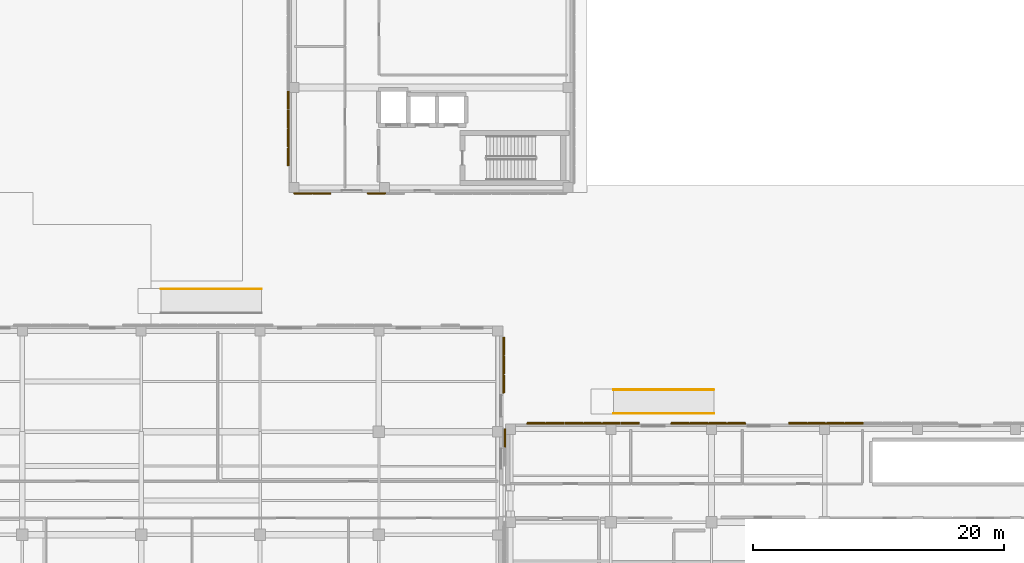
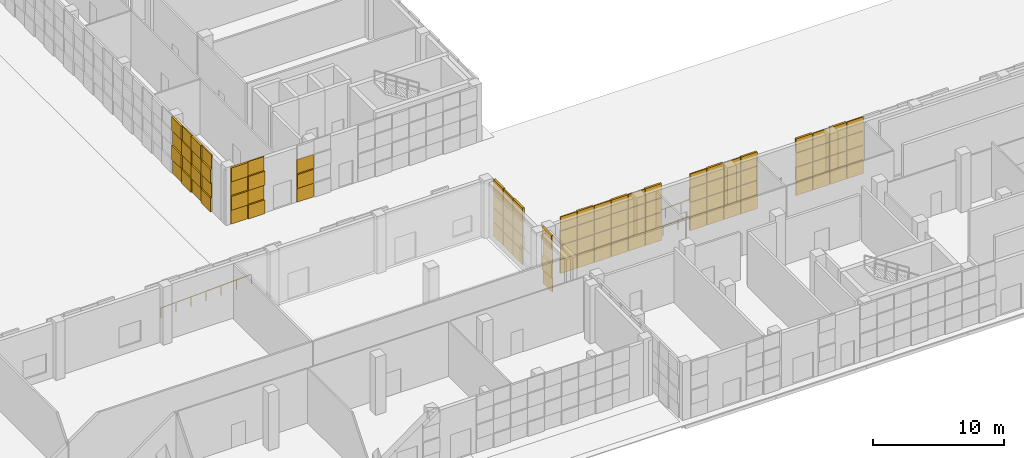
# One storey, part 28 of 40: 99 coverings, 3 railings.
"""IFC4 building model written with IfcOpenShell, lengths in metres."""

from ifc_helpers import new_model, si_unit, direction, frame, origin, origin_2d, place, context, subcontext, project, spatial, rectangle, circle, extrude, material, layer, layer_set, type_object, element, save


model = new_model("IFC4")

# Units and contexts
model_context = context("Model", 3, precision=1e-05, world=origin(), true_north=direction((0.0, 1.0)))
body_context = subcontext(model_context, "Body", "Model", "MODEL_VIEW")
ifc_project = project(units=[si_unit("LENGTHUNIT", "METRE"), si_unit("AREAUNIT", "SQUARE_METRE"), si_unit("VOLUMEUNIT", "CUBIC_METRE"), si_unit("PLANEANGLEUNIT", "RADIAN"), si_unit("MASSUNIT", "GRAM", prefix="KILO")], contexts=[model_context])

# Site, building, storey
site_placement = place(None, origin())
site = spatial("IfcSite", under=ifc_project, at=site_placement, CompositionType="ELEMENT")
building_placement = place(site_placement, origin())
building = spatial("IfcBuilding", under=site, at=building_placement, Name="Qalavern Law Courts", CompositionType="ELEMENT")
storey_placement = place(building_placement, origin())
storey = spatial("IfcBuildingStorey", under=building, at=storey_placement, Name="L00", CompositionType="ELEMENT", Elevation=0.0)

# Coverings
ifc_material_1 = material(Name="Precast concrete C40/50", Category="concrete")
ifc_layer_1 = layer(ifc_material_1, 0.06005859375)
ifc_layer_set_1 = layer_set([ifc_layer_1], Name="Precast concrete C40/50")
covering_type_1 = type_object("IfcCoveringType", Name="ENV-CLD-1", PredefinedType="CLADDING", material=ifc_layer_set_1)
for number, where, z_axis, x_axis, name in (
    (1, (101.280029296875, 25.800048828125, 1.385009765625), (0.0, 0.0, 1.0), (0.0, 1.0, 0.0), "Cast drop-relief street-base tile 0298"),
    (2, (101.280029296875, 27.300048828125, 0.050048828125), (0.0, 0.0, 1.0), (0.0, 1.0, 0.0), "Cast drop-relief street-base tile 0301"),
):
    element("IfcCovering", number, at=place(storey_placement, frame(where, z_axis=z_axis, x_axis=x_axis)), inside=storey, type_object=covering_type_1, Name=name, PredefinedType="CLADDING", context=body_context, shape_type="SweptSolid", body=[
        extrude(rectangle(XDim=1.449951171875, YDim=0.16796875, at=origin_2d()), origin(), (0.0, 0.0, 1.0), 1.294921875),
    ])
for number, where, z_axis, x_axis, name in (
    (3, (101.238037109375, 27.300048828125, 4.054931640625), (0.0, 0.0, 1.0), (0.0, 1.0, 0.0), "Cast drop-relief street-base tile 0304"),
    (4, (101.238037109375, 28.800048828125, 2.719970703125), (0.0, 0.0, 1.0), (0.0, 1.0, 0.0), "Cast drop-relief street-base tile 0307"),
):
    element("IfcCovering", number, at=place(storey_placement, frame(where, z_axis=z_axis, x_axis=x_axis)), inside=storey, type_object=covering_type_1, Name=name, PredefinedType="CLADDING", context=body_context, shape_type="SweptSolid", body=[
        extrude(rectangle(XDim=1.449951171875, YDim=0.083984375, at=origin_2d()), origin(), (0.0, 0.0, 1.0), 1.294921875),
    ])
for number, where, z_axis, x_axis, name in (
    (5, (85.300048828125, 40.93994140625, 1.385009765625), (0.0, 0.0, 1.0), (1.0, 0.0, 0.0), "Cast drop-relief street-base tile 0774"),
    (6, (86.800048828125, 40.93994140625, 0.050048828125), (0.0, 0.0, 1.0), (1.0, 0.0, 0.0), "Cast drop-relief street-base tile 0777"),
):
    element("IfcCovering", number, at=place(storey_placement, frame(where, z_axis=z_axis, x_axis=x_axis)), inside=storey, type_object=covering_type_1, Name=name, PredefinedType="CLADDING", context=body_context, shape_type="SweptSolid", body=[
        extrude(rectangle(XDim=1.449951171875, YDim=0.16796875, at=origin_2d()), origin(), (0.0, 0.0, 1.0), 1.294921875),
    ])
covering_1_placement = place(storey_placement, frame((86.800048828125, 40.98193359375, 4.054931640625), z_axis=(0.0, 0.0, 1.0), x_axis=(1.0, 0.0, 0.0)))
element("IfcCovering", 7, at=covering_1_placement, inside=storey, type_object=covering_type_1, Name="Cast drop-relief street-base tile 0780", PredefinedType="CLADDING", context=body_context, shape_type="SweptSolid", body=[
    extrude(rectangle(XDim=1.449951171875, YDim=0.083984375, at=origin_2d()), origin(), (0.0, 0.0, 1.0), 1.294921875),
])
covering_2_placement = place(storey_placement, frame((91.14990234375, 40.93994140625, 1.385009765625), z_axis=(0.0, 0.0, 1.0), x_axis=(1.0, 0.0, 0.0)))
element("IfcCovering", 8, at=covering_2_placement, inside=storey, type_object=covering_type_1, Name="Cast drop-relief street-base tile 0782", PredefinedType="CLADDING", context=body_context, shape_type="SweptSolid", body=[
    extrude(rectangle(XDim=1.449951171875, YDim=0.16796875, at=origin_2d()), origin(), (0.0, 0.0, 1.0), 1.294921875),
])
covering_3_placement = place(storey_placement, frame((84.162109375, 48.364990234375, 0.050048828125), z_axis=(0.0, 0.0, 1.0), x_axis=(0.0, -1.0, 0.0)))
element("IfcCovering", 9, at=covering_3_placement, inside=storey, type_object=covering_type_1, Name="Cast drop-relief street-base tile 1045", PredefinedType="CLADDING", context=body_context, shape_type="SweptSolid", body=[
    extrude(rectangle(XDim=1.449951171875, YDim=0.083984375, at=origin_2d()), origin(), (0.0, 0.0, 1.0), 1.294921875),
])
for number, where, z_axis, x_axis, name in (
    (10, (84.1201171875, 48.364990234375, 4.054931640625), (0.0, 0.0, 1.0), (0.0, -1.0, 0.0), "Cast drop-relief street-base tile 1048"),
    (11, (84.1201171875, 46.864990234375, 2.719970703125), (0.0, 0.0, 1.0), (0.0, -1.0, 0.0), "Cast drop-relief street-base tile 1051"),
    (12, (84.1201171875, 45.364990234375, 1.385009765625), (0.0, 0.0, 1.0), (0.0, -1.0, 0.0), "Cast drop-relief street-base tile 1054"),
    (13, (84.1201171875, 43.864990234375, 0.050048828125), (0.0, 0.0, 1.0), (0.0, -1.0, 0.0), "Cast drop-relief street-base tile 1057"),
):
    element("IfcCovering", number, at=place(storey_placement, frame(where, z_axis=z_axis, x_axis=x_axis)), inside=storey, type_object=covering_type_1, Name=name, PredefinedType="CLADDING", context=body_context, shape_type="SweptSolid", body=[
        extrude(rectangle(XDim=1.449951171875, YDim=0.16796875, at=origin_2d()), origin(), (0.0, 0.0, 1.0), 1.294921875),
    ])
covering_4_placement = place(storey_placement, frame((84.162109375, 43.864990234375, 4.054931640625), z_axis=(0.0, 0.0, 1.0), x_axis=(0.0, -1.0, 0.0)))
element("IfcCovering", 14, at=covering_4_placement, inside=storey, type_object=covering_type_1, Name="Cast drop-relief street-base tile 1060", PredefinedType="CLADDING", context=body_context, shape_type="SweptSolid", body=[
    extrude(rectangle(XDim=1.449951171875, YDim=0.083984375, at=origin_2d()), origin(), (0.0, 0.0, 1.0), 1.294921875),
])
for number, where, z_axis, x_axis, name in (
    (15, (129.1650390625, 22.679931640625, 2.719970703125), (0.0, 0.0, 1.0), (-1.0, 0.0, 0.0), "Cast drop-relief street-base tile 1615"),
    (16, (127.6650390625, 22.679931640625, 1.385009765625), (0.0, 0.0, 1.0), (-1.0, 0.0, 0.0), "Cast drop-relief street-base tile 1618"),
    (17, (126.1650390625, 22.679931640625, 0.050048828125), (0.0, 0.0, 1.0), (-1.0, 0.0, 0.0), "Cast drop-relief street-base tile 1621"),
):
    element("IfcCovering", number, at=place(storey_placement, frame(where, z_axis=z_axis, x_axis=x_axis)), inside=storey, type_object=covering_type_1, Name=name, PredefinedType="CLADDING", context=body_context, shape_type="SweptSolid", body=[
        extrude(rectangle(XDim=1.449951171875, YDim=0.16796875, at=origin_2d()), origin(), (0.0, 0.0, 1.0), 1.294921875),
    ])
for number, where, z_axis, x_axis, name in (
    (18, (126.1650390625, 22.637939453125, 4.054931640625), (0.0, 0.0, 1.0), (-1.0, 0.0, 0.0), "Cast drop-relief street-base tile 1624"),
    (19, (124.6650390625, 22.637939453125, 2.719970703125), (0.0, 0.0, 1.0), (-1.0, 0.0, 0.0), "Cast drop-relief street-base tile 1627"),
):
    element("IfcCovering", number, at=place(storey_placement, frame(where, z_axis=z_axis, x_axis=x_axis)), inside=storey, type_object=covering_type_1, Name=name, PredefinedType="CLADDING", context=body_context, shape_type="SweptSolid", body=[
        extrude(rectangle(XDim=1.449951171875, YDim=0.083984375, at=origin_2d()), origin(), (0.0, 0.0, 1.0), 1.294921875),
    ])
for number, where, z_axis, x_axis, name in (
    (20, (119.7900390625, 22.679931640625, 1.385009765625), (0.0, 0.0, 1.0), (-1.0, 0.0, 0.0), "Cast drop-relief street-base tile 1630"),
    (21, (118.2900390625, 22.679931640625, 0.050048828125), (0.0, 0.0, 1.0), (-1.0, 0.0, 0.0), "Cast drop-relief street-base tile 1633"),
):
    element("IfcCovering", number, at=place(storey_placement, frame(where, z_axis=z_axis, x_axis=x_axis)), inside=storey, type_object=covering_type_1, Name=name, PredefinedType="CLADDING", context=body_context, shape_type="SweptSolid", body=[
        extrude(rectangle(XDim=1.449951171875, YDim=0.16796875, at=origin_2d()), origin(), (0.0, 0.0, 1.0), 1.294921875),
    ])
for number, where, z_axis, x_axis, name in (
    (22, (118.2900390625, 22.637939453125, 4.054931640625), (0.0, 0.0, 1.0), (-1.0, 0.0, 0.0), "Cast drop-relief street-base tile 1636"),
    (23, (116.7900390625, 22.637939453125, 2.719970703125), (0.0, 0.0, 1.0), (-1.0, 0.0, 0.0), "Cast drop-relief street-base tile 1639"),
    (24, (115.2900390625, 22.637939453125, 1.385009765625), (0.0, 0.0, 1.0), (-1.0, 0.0, 0.0), "Cast drop-relief street-base tile 1642"),
):
    element("IfcCovering", number, at=place(storey_placement, frame(where, z_axis=z_axis, x_axis=x_axis)), inside=storey, type_object=covering_type_1, Name=name, PredefinedType="CLADDING", context=body_context, shape_type="SweptSolid", body=[
        extrude(rectangle(XDim=1.449951171875, YDim=0.083984375, at=origin_2d()), origin(), (0.0, 0.0, 1.0), 1.294921875),
    ])
for number, where, z_axis, x_axis, name in (
    (25, (111.340087890625, 22.679931640625, 1.385009765625), (0.0, 0.0, 1.0), (-1.0, 0.0, 0.0), "Cast drop-relief street-base tile 1646"),
    (26, (109.840087890625, 22.679931640625, 0.050048828125), (0.0, 0.0, 1.0), (-1.0, 0.0, 0.0), "Cast drop-relief street-base tile 1649"),
):
    element("IfcCovering", number, at=place(storey_placement, frame(where, z_axis=z_axis, x_axis=x_axis)), inside=storey, type_object=covering_type_1, Name=name, PredefinedType="CLADDING", context=body_context, shape_type="SweptSolid", body=[
        extrude(rectangle(XDim=1.449951171875, YDim=0.16796875, at=origin_2d()), origin(), (0.0, 0.0, 1.0), 1.294921875),
    ])
for number, where, z_axis, x_axis, name in (
    (27, (109.840087890625, 22.637939453125, 4.054931640625), (0.0, 0.0, 1.0), (-1.0, 0.0, 0.0), "Cast drop-relief street-base tile 1652"),
    (28, (108.340087890625, 22.637939453125, 2.719970703125), (0.0, 0.0, 1.0), (-1.0, 0.0, 0.0), "Cast drop-relief street-base tile 1655"),
    (29, (106.840087890625, 22.637939453125, 1.385009765625), (0.0, 0.0, 1.0), (-1.0, 0.0, 0.0), "Cast drop-relief street-base tile 1658"),
    (30, (105.340087890625, 22.637939453125, 0.050048828125), (0.0, 0.0, 1.0), (-1.0, 0.0, 0.0), "Cast drop-relief street-base tile 1661"),
):
    element("IfcCovering", number, at=place(storey_placement, frame(where, z_axis=z_axis, x_axis=x_axis)), inside=storey, type_object=covering_type_1, Name=name, PredefinedType="CLADDING", context=body_context, shape_type="SweptSolid", body=[
        extrude(rectangle(XDim=1.449951171875, YDim=0.083984375, at=origin_2d()), origin(), (0.0, 0.0, 1.0), 1.294921875),
    ])
for number, where, z_axis, x_axis, name in (
    (31, (105.340087890625, 22.679931640625, 4.054931640625), (0.0, 0.0, 1.0), (-1.0, 0.0, 0.0), "Cast drop-relief street-base tile 1664"),
    (32, (103.840087890625, 22.679931640625, 2.719970703125), (0.0, 0.0, 1.0), (-1.0, 0.0, 0.0), "Cast drop-relief street-base tile 1667"),
    (33, (101.340087890625, 21.5, 1.385009765625), (0.0, 0.0, 1.0), (0.0, -1.0, 0.0), "Cast drop-relief street-base tile 1670"),
):
    element("IfcCovering", number, at=place(storey_placement, frame(where, z_axis=z_axis, x_axis=x_axis)), inside=storey, type_object=covering_type_1, Name=name, PredefinedType="CLADDING", context=body_context, shape_type="SweptSolid", body=[
        extrude(rectangle(XDim=1.449951171875, YDim=0.16796875, at=origin_2d()), origin(), (0.0, 0.0, 1.0), 1.294921875),
    ])
ifc_layer_2 = layer(ifc_material_1, 0.072021484375)
ifc_layer_set_2 = layer_set([ifc_layer_2], Name="Precast concrete C40/50")
covering_type_2 = type_object("IfcCoveringType", Name="ENV-CLD-2", PredefinedType="CLADDING", material=ifc_layer_set_2)
for number, where, z_axis, x_axis, name in (
    (34, (101.238037109375, 25.800048828125, 2.719970703125), (0.0, 0.0, 1.0), (0.0, 1.0, 0.0), "Cast drop-relief street-base tile 0299"),
    (35, (101.238037109375, 27.300048828125, 1.385009765625), (0.0, 0.0, 1.0), (0.0, 1.0, 0.0), "Cast drop-relief street-base tile 0302"),
    (36, (101.238037109375, 28.800048828125, 0.050048828125), (0.0, 0.0, 1.0), (0.0, 1.0, 0.0), "Cast drop-relief street-base tile 0305"),
):
    element("IfcCovering", number, at=place(storey_placement, frame(where, z_axis=z_axis, x_axis=x_axis)), inside=storey, type_object=covering_type_2, Name=name, PredefinedType="CLADDING", context=body_context, shape_type="SweptSolid", body=[
        extrude(rectangle(XDim=1.449951171875, YDim=0.083984375, at=origin_2d()), origin(), (0.0, 0.0, 1.0), 1.294921875),
    ])
covering_5_placement = place(storey_placement, frame((101.280029296875, 28.800048828125, 4.054931640625), z_axis=(0.0, 0.0, 1.0), x_axis=(0.0, 1.0, 0.0)))
element("IfcCovering", 37, at=covering_5_placement, inside=storey, type_object=covering_type_2, Name="Cast drop-relief street-base tile 0308", PredefinedType="CLADDING", context=body_context, shape_type="SweptSolid", body=[
    extrude(rectangle(XDim=1.449951171875, YDim=0.16796875, at=origin_2d()), origin(), (0.0, 0.0, 1.0), 1.294921875),
])
for number, where, z_axis, x_axis, name in (
    (38, (85.300048828125, 40.98193359375, 2.719970703125), (0.0, 0.0, 1.0), (1.0, 0.0, 0.0), "Cast drop-relief street-base tile 0775"),
    (39, (86.800048828125, 40.98193359375, 1.385009765625), (0.0, 0.0, 1.0), (1.0, 0.0, 0.0), "Cast drop-relief street-base tile 0778"),
    (40, (91.14990234375, 40.98193359375, 2.719970703125), (0.0, 0.0, 1.0), (1.0, 0.0, 0.0), "Cast drop-relief street-base tile 0783"),
):
    element("IfcCovering", number, at=place(storey_placement, frame(where, z_axis=z_axis, x_axis=x_axis)), inside=storey, type_object=covering_type_2, Name=name, PredefinedType="CLADDING", context=body_context, shape_type="SweptSolid", body=[
        extrude(rectangle(XDim=1.449951171875, YDim=0.083984375, at=origin_2d()), origin(), (0.0, 0.0, 1.0), 1.294921875),
    ])
for number, where, z_axis, x_axis, name in (
    (41, (84.1201171875, 48.364990234375, 1.385009765625), (0.0, 0.0, 1.0), (0.0, -1.0, 0.0), "Cast drop-relief street-base tile 1046"),
    (42, (84.1201171875, 46.864990234375, 0.050048828125), (0.0, 0.0, 1.0), (0.0, -1.0, 0.0), "Cast drop-relief street-base tile 1049"),
):
    element("IfcCovering", number, at=place(storey_placement, frame(where, z_axis=z_axis, x_axis=x_axis)), inside=storey, type_object=covering_type_2, Name=name, PredefinedType="CLADDING", context=body_context, shape_type="SweptSolid", body=[
        extrude(rectangle(XDim=1.449951171875, YDim=0.16796875, at=origin_2d()), origin(), (0.0, 0.0, 1.0), 1.294921875),
    ])
for number, where, z_axis, x_axis, name in (
    (43, (84.162109375, 46.864990234375, 4.054931640625), (0.0, 0.0, 1.0), (0.0, -1.0, 0.0), "Cast drop-relief street-base tile 1052"),
    (44, (84.162109375, 45.364990234375, 2.719970703125), (0.0, 0.0, 1.0), (0.0, -1.0, 0.0), "Cast drop-relief street-base tile 1055"),
    (45, (84.162109375, 43.864990234375, 1.385009765625), (0.0, 0.0, 1.0), (0.0, -1.0, 0.0), "Cast drop-relief street-base tile 1058"),
):
    element("IfcCovering", number, at=place(storey_placement, frame(where, z_axis=z_axis, x_axis=x_axis)), inside=storey, type_object=covering_type_2, Name=name, PredefinedType="CLADDING", context=body_context, shape_type="SweptSolid", body=[
        extrude(rectangle(XDim=1.449951171875, YDim=0.083984375, at=origin_2d()), origin(), (0.0, 0.0, 1.0), 1.294921875),
    ])
covering_6_placement = place(storey_placement, frame((129.1650390625, 22.679931640625, 0.050048828125), z_axis=(0.0, 0.0, 1.0), x_axis=(-1.0, 0.0, 0.0)))
element("IfcCovering", 46, at=covering_6_placement, inside=storey, type_object=covering_type_2, Name="Cast drop-relief street-base tile 1613", PredefinedType="CLADDING", context=body_context, shape_type="SweptSolid", body=[
    extrude(rectangle(XDim=1.449951171875, YDim=0.16796875, at=origin_2d()), origin(), (0.0, 0.0, 1.0), 1.294921875),
])
for number, where, z_axis, x_axis, name in (
    (47, (129.1650390625, 22.637939453125, 4.054931640625), (0.0, 0.0, 1.0), (-1.0, 0.0, 0.0), "Cast drop-relief street-base tile 1616"),
    (48, (127.6650390625, 22.637939453125, 2.719970703125), (0.0, 0.0, 1.0), (-1.0, 0.0, 0.0), "Cast drop-relief street-base tile 1619"),
    (49, (126.1650390625, 22.637939453125, 1.385009765625), (0.0, 0.0, 1.0), (-1.0, 0.0, 0.0), "Cast drop-relief street-base tile 1622"),
    (50, (124.6650390625, 22.637939453125, 0.050048828125), (0.0, 0.0, 1.0), (-1.0, 0.0, 0.0), "Cast drop-relief street-base tile 1625"),
):
    element("IfcCovering", number, at=place(storey_placement, frame(where, z_axis=z_axis, x_axis=x_axis)), inside=storey, type_object=covering_type_2, Name=name, PredefinedType="CLADDING", context=body_context, shape_type="SweptSolid", body=[
        extrude(rectangle(XDim=1.449951171875, YDim=0.083984375, at=origin_2d()), origin(), (0.0, 0.0, 1.0), 1.294921875),
    ])
covering_7_placement = place(storey_placement, frame((124.6650390625, 22.679931640625, 4.054931640625), z_axis=(0.0, 0.0, 1.0), x_axis=(-1.0, 0.0, 0.0)))
element("IfcCovering", 51, at=covering_7_placement, inside=storey, type_object=covering_type_2, Name="Cast drop-relief street-base tile 1628", PredefinedType="CLADDING", context=body_context, shape_type="SweptSolid", body=[
    extrude(rectangle(XDim=1.449951171875, YDim=0.16796875, at=origin_2d()), origin(), (0.0, 0.0, 1.0), 1.294921875),
])
for number, where, z_axis, x_axis, name in (
    (52, (119.7900390625, 22.637939453125, 2.719970703125), (0.0, 0.0, 1.0), (-1.0, 0.0, 0.0), "Cast drop-relief street-base tile 1631"),
    (53, (118.2900390625, 22.637939453125, 1.385009765625), (0.0, 0.0, 1.0), (-1.0, 0.0, 0.0), "Cast drop-relief street-base tile 1634"),
    (54, (116.7900390625, 22.637939453125, 0.050048828125), (0.0, 0.0, 1.0), (-1.0, 0.0, 0.0), "Cast drop-relief street-base tile 1637"),
):
    element("IfcCovering", number, at=place(storey_placement, frame(where, z_axis=z_axis, x_axis=x_axis)), inside=storey, type_object=covering_type_2, Name=name, PredefinedType="CLADDING", context=body_context, shape_type="SweptSolid", body=[
        extrude(rectangle(XDim=1.449951171875, YDim=0.083984375, at=origin_2d()), origin(), (0.0, 0.0, 1.0), 1.294921875),
    ])
for number, where, z_axis, x_axis, name in (
    (55, (116.7900390625, 22.679931640625, 4.054931640625), (0.0, 0.0, 1.0), (-1.0, 0.0, 0.0), "Cast drop-relief street-base tile 1640"),
    (56, (115.2900390625, 22.679931640625, 2.719970703125), (0.0, 0.0, 1.0), (-1.0, 0.0, 0.0), "Cast drop-relief street-base tile 1643"),
):
    element("IfcCovering", number, at=place(storey_placement, frame(where, z_axis=z_axis, x_axis=x_axis)), inside=storey, type_object=covering_type_2, Name=name, PredefinedType="CLADDING", context=body_context, shape_type="SweptSolid", body=[
        extrude(rectangle(XDim=1.449951171875, YDim=0.16796875, at=origin_2d()), origin(), (0.0, 0.0, 1.0), 1.294921875),
    ])
for number, where, z_axis, x_axis, name in (
    (57, (111.340087890625, 22.637939453125, 2.719970703125), (0.0, 0.0, 1.0), (-1.0, 0.0, 0.0), "Cast drop-relief street-base tile 1647"),
    (58, (109.840087890625, 22.637939453125, 1.385009765625), (0.0, 0.0, 1.0), (-1.0, 0.0, 0.0), "Cast drop-relief street-base tile 1650"),
    (59, (108.340087890625, 22.637939453125, 0.050048828125), (0.0, 0.0, 1.0), (-1.0, 0.0, 0.0), "Cast drop-relief street-base tile 1653"),
):
    element("IfcCovering", number, at=place(storey_placement, frame(where, z_axis=z_axis, x_axis=x_axis)), inside=storey, type_object=covering_type_2, Name=name, PredefinedType="CLADDING", context=body_context, shape_type="SweptSolid", body=[
        extrude(rectangle(XDim=1.449951171875, YDim=0.083984375, at=origin_2d()), origin(), (0.0, 0.0, 1.0), 1.294921875),
    ])
for number, where, z_axis, x_axis, name in (
    (60, (108.340087890625, 22.679931640625, 4.054931640625), (0.0, 0.0, 1.0), (-1.0, 0.0, 0.0), "Cast drop-relief street-base tile 1656"),
    (61, (106.840087890625, 22.679931640625, 2.719970703125), (0.0, 0.0, 1.0), (-1.0, 0.0, 0.0), "Cast drop-relief street-base tile 1659"),
    (62, (105.340087890625, 22.679931640625, 1.385009765625), (0.0, 0.0, 1.0), (-1.0, 0.0, 0.0), "Cast drop-relief street-base tile 1662"),
    (63, (103.840087890625, 22.679931640625, 0.050048828125), (0.0, 0.0, 1.0), (-1.0, 0.0, 0.0), "Cast drop-relief street-base tile 1665"),
):
    element("IfcCovering", number, at=place(storey_placement, frame(where, z_axis=z_axis, x_axis=x_axis)), inside=storey, type_object=covering_type_2, Name=name, PredefinedType="CLADDING", context=body_context, shape_type="SweptSolid", body=[
        extrude(rectangle(XDim=1.449951171875, YDim=0.16796875, at=origin_2d()), origin(), (0.0, 0.0, 1.0), 1.294921875),
    ])
for number, where, z_axis, x_axis, name in (
    (64, (103.840087890625, 22.637939453125, 4.054931640625), (0.0, 0.0, 1.0), (-1.0, 0.0, 0.0), "Cast drop-relief street-base tile 1668"),
    (65, (101.382080078125, 21.5, 2.719970703125), (0.0, 0.0, 1.0), (0.0, -1.0, 0.0), "Cast drop-relief street-base tile 1671"),
):
    element("IfcCovering", number, at=place(storey_placement, frame(where, z_axis=z_axis, x_axis=x_axis)), inside=storey, type_object=covering_type_2, Name=name, PredefinedType="CLADDING", context=body_context, shape_type="SweptSolid", body=[
        extrude(rectangle(XDim=1.449951171875, YDim=0.083984375, at=origin_2d()), origin(), (0.0, 0.0, 1.0), 1.294921875),
    ])
ifc_layer_3 = layer(ifc_material_1, 0.083984375)
ifc_layer_set_3 = layer_set([ifc_layer_3], Name="Precast concrete C40/50")
covering_type_3 = type_object("IfcCoveringType", Name="ENV-CLD-3", PredefinedType="CLADDING", material=ifc_layer_set_3)
covering_8_placement = place(storey_placement, frame((101.238037109375, 25.800048828125, 0.050048828125), z_axis=(0.0, 0.0, 1.0), x_axis=(0.0, 1.0, 0.0)))
element("IfcCovering", 66, at=covering_8_placement, inside=storey, type_object=covering_type_3, Name="Cast drop-relief street-base tile 0297", PredefinedType="CLADDING", context=body_context, shape_type="SweptSolid", body=[
    extrude(rectangle(XDim=1.449951171875, YDim=0.083984375, at=origin_2d()), origin(), (0.0, 0.0, 1.0), 1.294921875),
])
for number, where, z_axis, x_axis, name in (
    (67, (101.280029296875, 25.800048828125, 4.054931640625), (0.0, 0.0, 1.0), (0.0, 1.0, 0.0), "Cast drop-relief street-base tile 0300"),
    (68, (101.280029296875, 27.300048828125, 2.719970703125), (0.0, 0.0, 1.0), (0.0, 1.0, 0.0), "Cast drop-relief street-base tile 0303"),
    (69, (101.280029296875, 28.800048828125, 1.385009765625), (0.0, 0.0, 1.0), (0.0, 1.0, 0.0), "Cast drop-relief street-base tile 0306"),
):
    element("IfcCovering", number, at=place(storey_placement, frame(where, z_axis=z_axis, x_axis=x_axis)), inside=storey, type_object=covering_type_3, Name=name, PredefinedType="CLADDING", context=body_context, shape_type="SweptSolid", body=[
        extrude(rectangle(XDim=1.449951171875, YDim=0.16796875, at=origin_2d()), origin(), (0.0, 0.0, 1.0), 1.294921875),
    ])
covering_9_placement = place(storey_placement, frame((85.300048828125, 40.98193359375, 0.050048828125), z_axis=(0.0, 0.0, 1.0), x_axis=(1.0, 0.0, 0.0)))
element("IfcCovering", 70, at=covering_9_placement, inside=storey, type_object=covering_type_3, Name="Cast drop-relief street-base tile 0773", PredefinedType="CLADDING", context=body_context, shape_type="SweptSolid", body=[
    extrude(rectangle(XDim=1.449951171875, YDim=0.083984375, at=origin_2d()), origin(), (0.0, 0.0, 1.0), 1.294921875),
])
for number, where, z_axis, x_axis, name in (
    (71, (85.300048828125, 40.93994140625, 4.054931640625), (0.0, 0.0, 1.0), (1.0, 0.0, 0.0), "Cast drop-relief street-base tile 0776"),
    (72, (86.800048828125, 40.93994140625, 2.719970703125), (0.0, 0.0, 1.0), (1.0, 0.0, 0.0), "Cast drop-relief street-base tile 0779"),
):
    element("IfcCovering", number, at=place(storey_placement, frame(where, z_axis=z_axis, x_axis=x_axis)), inside=storey, type_object=covering_type_3, Name=name, PredefinedType="CLADDING", context=body_context, shape_type="SweptSolid", body=[
        extrude(rectangle(XDim=1.449951171875, YDim=0.16796875, at=origin_2d()), origin(), (0.0, 0.0, 1.0), 1.294921875),
    ])
for number, where, z_axis, x_axis, name in (
    (73, (91.14990234375, 40.98193359375, 0.050048828125), (0.0, 0.0, 1.0), (1.0, 0.0, 0.0), "Cast drop-relief street-base tile 0781"),
    (74, (84.162109375, 48.364990234375, 2.719970703125), (0.0, 0.0, 1.0), (0.0, -1.0, 0.0), "Cast drop-relief street-base tile 1047"),
    (75, (84.162109375, 46.864990234375, 1.385009765625), (0.0, 0.0, 1.0), (0.0, -1.0, 0.0), "Cast drop-relief street-base tile 1050"),
    (76, (84.162109375, 45.364990234375, 0.050048828125), (0.0, 0.0, 1.0), (0.0, -1.0, 0.0), "Cast drop-relief street-base tile 1053"),
):
    element("IfcCovering", number, at=place(storey_placement, frame(where, z_axis=z_axis, x_axis=x_axis)), inside=storey, type_object=covering_type_3, Name=name, PredefinedType="CLADDING", context=body_context, shape_type="SweptSolid", body=[
        extrude(rectangle(XDim=1.449951171875, YDim=0.083984375, at=origin_2d()), origin(), (0.0, 0.0, 1.0), 1.294921875),
    ])
for number, where, z_axis, x_axis, name in (
    (77, (84.1201171875, 45.364990234375, 4.054931640625), (0.0, 0.0, 1.0), (0.0, -1.0, 0.0), "Cast drop-relief street-base tile 1056"),
    (78, (84.1201171875, 43.864990234375, 2.719970703125), (0.0, 0.0, 1.0), (0.0, -1.0, 0.0), "Cast drop-relief street-base tile 1059"),
):
    element("IfcCovering", number, at=place(storey_placement, frame(where, z_axis=z_axis, x_axis=x_axis)), inside=storey, type_object=covering_type_3, Name=name, PredefinedType="CLADDING", context=body_context, shape_type="SweptSolid", body=[
        extrude(rectangle(XDim=1.449951171875, YDim=0.16796875, at=origin_2d()), origin(), (0.0, 0.0, 1.0), 1.294921875),
    ])
for number, where, z_axis, x_axis, name in (
    (79, (129.1650390625, 22.637939453125, 1.385009765625), (0.0, 0.0, 1.0), (-1.0, 0.0, 0.0), "Cast drop-relief street-base tile 1614"),
    (80, (127.6650390625, 22.637939453125, 0.050048828125), (0.0, 0.0, 1.0), (-1.0, 0.0, 0.0), "Cast drop-relief street-base tile 1617"),
):
    element("IfcCovering", number, at=place(storey_placement, frame(where, z_axis=z_axis, x_axis=x_axis)), inside=storey, type_object=covering_type_3, Name=name, PredefinedType="CLADDING", context=body_context, shape_type="SweptSolid", body=[
        extrude(rectangle(XDim=1.449951171875, YDim=0.083984375, at=origin_2d()), origin(), (0.0, 0.0, 1.0), 1.294921875),
    ])
for number, where, z_axis, x_axis, name in (
    (81, (127.6650390625, 22.679931640625, 4.054931640625), (0.0, 0.0, 1.0), (-1.0, 0.0, 0.0), "Cast drop-relief street-base tile 1620"),
    (82, (126.1650390625, 22.679931640625, 2.719970703125), (0.0, 0.0, 1.0), (-1.0, 0.0, 0.0), "Cast drop-relief street-base tile 1623"),
    (83, (124.6650390625, 22.679931640625, 1.385009765625), (0.0, 0.0, 1.0), (-1.0, 0.0, 0.0), "Cast drop-relief street-base tile 1626"),
):
    element("IfcCovering", number, at=place(storey_placement, frame(where, z_axis=z_axis, x_axis=x_axis)), inside=storey, type_object=covering_type_3, Name=name, PredefinedType="CLADDING", context=body_context, shape_type="SweptSolid", body=[
        extrude(rectangle(XDim=1.449951171875, YDim=0.16796875, at=origin_2d()), origin(), (0.0, 0.0, 1.0), 1.294921875),
    ])
covering_10_placement = place(storey_placement, frame((119.7900390625, 22.637939453125, 0.050048828125), z_axis=(0.0, 0.0, 1.0), x_axis=(-1.0, 0.0, 0.0)))
element("IfcCovering", 84, at=covering_10_placement, inside=storey, type_object=covering_type_3, Name="Cast drop-relief street-base tile 1629", PredefinedType="CLADDING", context=body_context, shape_type="SweptSolid", body=[
    extrude(rectangle(XDim=1.449951171875, YDim=0.083984375, at=origin_2d()), origin(), (0.0, 0.0, 1.0), 1.294921875),
])
for number, where, z_axis, x_axis, name in (
    (85, (119.7900390625, 22.679931640625, 4.054931640625), (0.0, 0.0, 1.0), (-1.0, 0.0, 0.0), "Cast drop-relief street-base tile 1632"),
    (86, (118.2900390625, 22.679931640625, 2.719970703125), (0.0, 0.0, 1.0), (-1.0, 0.0, 0.0), "Cast drop-relief street-base tile 1635"),
    (87, (116.7900390625, 22.679931640625, 1.385009765625), (0.0, 0.0, 1.0), (-1.0, 0.0, 0.0), "Cast drop-relief street-base tile 1638"),
    (88, (115.2900390625, 22.679931640625, 0.050048828125), (0.0, 0.0, 1.0), (-1.0, 0.0, 0.0), "Cast drop-relief street-base tile 1641"),
):
    element("IfcCovering", number, at=place(storey_placement, frame(where, z_axis=z_axis, x_axis=x_axis)), inside=storey, type_object=covering_type_3, Name=name, PredefinedType="CLADDING", context=body_context, shape_type="SweptSolid", body=[
        extrude(rectangle(XDim=1.449951171875, YDim=0.16796875, at=origin_2d()), origin(), (0.0, 0.0, 1.0), 1.294921875),
    ])
for number, where, z_axis, x_axis, name in (
    (89, (115.2900390625, 22.637939453125, 4.054931640625), (0.0, 0.0, 1.0), (-1.0, 0.0, 0.0), "Cast drop-relief street-base tile 1644"),
    (90, (111.340087890625, 22.637939453125, 0.050048828125), (0.0, 0.0, 1.0), (-1.0, 0.0, 0.0), "Cast drop-relief street-base tile 1645"),
):
    element("IfcCovering", number, at=place(storey_placement, frame(where, z_axis=z_axis, x_axis=x_axis)), inside=storey, type_object=covering_type_3, Name=name, PredefinedType="CLADDING", context=body_context, shape_type="SweptSolid", body=[
        extrude(rectangle(XDim=1.449951171875, YDim=0.083984375, at=origin_2d()), origin(), (0.0, 0.0, 1.0), 1.294921875),
    ])
for number, where, z_axis, x_axis, name in (
    (91, (111.340087890625, 22.679931640625, 4.054931640625), (0.0, 0.0, 1.0), (-1.0, 0.0, 0.0), "Cast drop-relief street-base tile 1648"),
    (92, (109.840087890625, 22.679931640625, 2.719970703125), (0.0, 0.0, 1.0), (-1.0, 0.0, 0.0), "Cast drop-relief street-base tile 1651"),
    (93, (108.340087890625, 22.679931640625, 1.385009765625), (0.0, 0.0, 1.0), (-1.0, 0.0, 0.0), "Cast drop-relief street-base tile 1654"),
    (94, (106.840087890625, 22.679931640625, 0.050048828125), (0.0, 0.0, 1.0), (-1.0, 0.0, 0.0), "Cast drop-relief street-base tile 1657"),
):
    element("IfcCovering", number, at=place(storey_placement, frame(where, z_axis=z_axis, x_axis=x_axis)), inside=storey, type_object=covering_type_3, Name=name, PredefinedType="CLADDING", context=body_context, shape_type="SweptSolid", body=[
        extrude(rectangle(XDim=1.449951171875, YDim=0.16796875, at=origin_2d()), origin(), (0.0, 0.0, 1.0), 1.294921875),
    ])
for number, where, z_axis, x_axis, name in (
    (95, (106.840087890625, 22.637939453125, 4.054931640625), (0.0, 0.0, 1.0), (-1.0, 0.0, 0.0), "Cast drop-relief street-base tile 1660"),
    (96, (105.340087890625, 22.637939453125, 2.719970703125), (0.0, 0.0, 1.0), (-1.0, 0.0, 0.0), "Cast drop-relief street-base tile 1663"),
    (97, (103.840087890625, 22.637939453125, 1.385009765625), (0.0, 0.0, 1.0), (-1.0, 0.0, 0.0), "Cast drop-relief street-base tile 1666"),
    (98, (101.382080078125, 21.5, 0.050048828125), (0.0, 0.0, 1.0), (0.0, -1.0, 0.0), "Cast drop-relief street-base tile 1669"),
):
    element("IfcCovering", number, at=place(storey_placement, frame(where, z_axis=z_axis, x_axis=x_axis)), inside=storey, type_object=covering_type_3, Name=name, PredefinedType="CLADDING", context=body_context, shape_type="SweptSolid", body=[
        extrude(rectangle(XDim=1.449951171875, YDim=0.083984375, at=origin_2d()), origin(), (0.0, 0.0, 1.0), 1.294921875),
    ])
covering_11_placement = place(storey_placement, frame((101.340087890625, 21.5, 4.054931640625), z_axis=(0.0, 0.0, 1.0), x_axis=(0.0, -1.0, 0.0)))
element("IfcCovering", 99, at=covering_11_placement, inside=storey, type_object=covering_type_3, Name="Cast drop-relief street-base tile 1672", PredefinedType="CLADDING", context=body_context, shape_type="SweptSolid", body=[
    extrude(rectangle(XDim=1.449951171875, YDim=0.16796875, at=origin_2d()), origin(), (0.0, 0.0, 1.0), 1.294921875),
])

# Railings
ifc_material_2 = material(Name="Steel S355", Category="steel")
railing_type = type_object("IfcRailingType", Name="INT-HRAIL-900", PredefinedType="HANDRAIL", material=ifc_material_2)
for number, where, name in (
    (100, (110.0, 23.4599609375, -0.35009765625), "Public Hall Forecourt Accessible Pedestrian Ramp handrail 1"),
    (101, (110.0, 25.340087890625, -0.35009765625), "Public Hall Forecourt Accessible Pedestrian Ramp handrail 2"),
    (102, (74.0, 33.340087890625, -0.35009765625), "Inner Courtyard Accessible Pedestrian Ramp handrail 2"),
):
    element("IfcRailing", number, at=place(storey_placement, frame(where)), inside=storey, type_object=railing_type, Name=name, PredefinedType="HANDRAIL", context=body_context, shape_type="SweptSolid", body=[
        extrude(circle(Radius=0.02392578125, at=origin_2d()), frame((0.0, 0.0, 0.8759765625), z_axis=(0.999043807824, 0.0, 0.043720361951), x_axis=(0.0, 1.0, 0.0)), (0.0, 0.0, 1.0), 8.007568359375),
        extrude(circle(Radius=0.02099609375, at=origin_2d()), origin(), (0.0, 0.0, 1.0), 0.851806640625),
        extrude(circle(Radius=0.02099609375, at=origin_2d()), frame((1.333251953125, 0.0, 0.058349609375)), (0.0, 0.0, 1.0), 0.851806640625),
        extrude(circle(Radius=0.02099609375, at=origin_2d()), frame((2.666748046875, 0.0, 0.11669921875)), (0.0, 0.0, 1.0), 0.851806640625),
        extrude(circle(Radius=0.02099609375, at=origin_2d()), frame((4.0, 0.0, 0.175048828125)), (0.0, 0.0, 1.0), 0.851806640625),
        extrude(circle(Radius=0.02099609375, at=origin_2d()), frame((5.333251953125, 0.0, 0.2333984375)), (0.0, 0.0, 1.0), 0.851806640625),
        extrude(circle(Radius=0.02099609375, at=origin_2d()), frame((6.666748046875, 0.0, 0.291748046875)), (0.0, 0.0, 1.0), 0.851806640625),
        extrude(circle(Radius=0.02099609375, at=origin_2d()), frame((8.0, 0.0, 0.35009765625)), (0.0, 0.0, 1.0), 0.851806640625),
    ])

save(model, "model.ifc")
